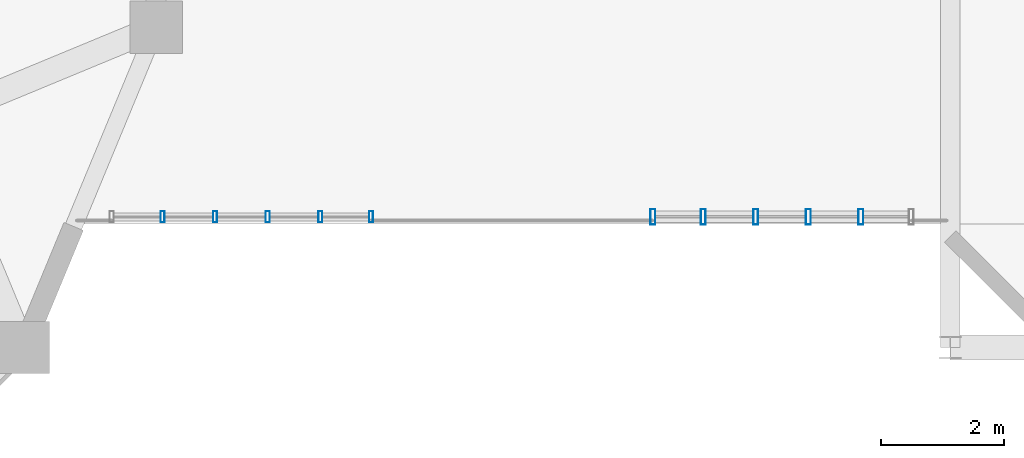
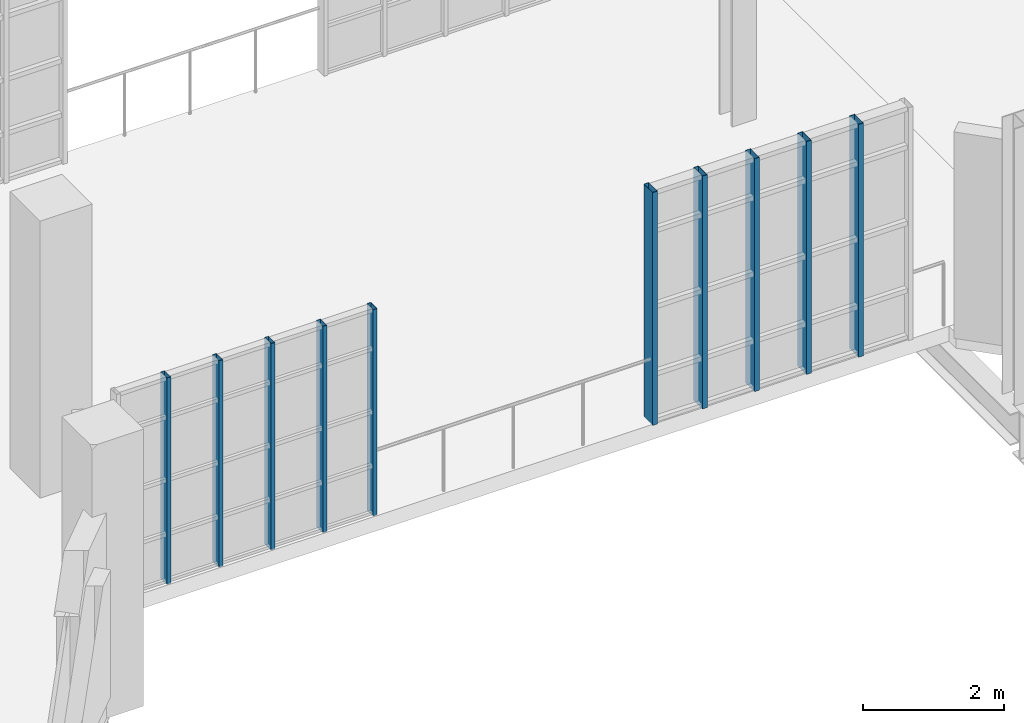
# One storey, part 17 of 122: 10 members, 2 elements without a shape of their own.
"""IFC4 building model written with IfcOpenShell, lengths in metres."""

from ifc_helpers import new_model, si_unit, direction, frame, origin, origin_2d, place, context, subcontext, project, spatial, hollow_rectangle, extrude, material, layer, layer_set, material_profile, profile_set, type_object, element, aggregate, save


model = new_model("IFC4")

# Units and contexts
model_context = context("Model", 3, precision=1e-05, world=origin(), true_north=direction((0.0, 1.0)))
body_context = subcontext(model_context, "Body", "Model", "MODEL_VIEW")
ifc_project = project(units=[si_unit("LENGTHUNIT", "METRE"), si_unit("AREAUNIT", "SQUARE_METRE"), si_unit("VOLUMEUNIT", "CUBIC_METRE"), si_unit("PLANEANGLEUNIT", "RADIAN"), si_unit("MASSUNIT", "GRAM", prefix="KILO"), si_unit("THERMODYNAMICTEMPERATUREUNIT", "KELVIN"), si_unit("POWERUNIT", "WATT")], contexts=[model_context])

# Site, building, storey
site_placement = place(None, origin())
site = spatial("IfcSite", under=ifc_project, at=site_placement, CompositionType="ELEMENT")
building_placement = place(site_placement, origin())
building = spatial("IfcBuilding", under=site, at=building_placement, Name="Zelmaris Science Centre", CompositionType="ELEMENT")
storey_placement = place(building_placement, frame((0.0, 0.0, 10.800048828125)))
storey = spatial("IfcBuildingStorey", under=building, at=storey_placement, Name="L02", CompositionType="ELEMENT", Elevation=10.800048828125)

# Curtain wall, members
ifc_material = material(Name="Anodised architectural aluminium 6063-T6", Category="aluminium")
ifc_layer_1 = layer(ifc_material, 0.2099609375, Name="Anodised architectural aluminium 6063-T6")
ifc_layer_set_1 = layer_set([ifc_layer_1], Name="Anodised architectural aluminium 6063-T6")
curtain_wall_type_1 = type_object("IfcCurtainWallType", Name="Curtain Wall CW-03", PredefinedType="USERDEFINED", material=ifc_layer_set_1)
curtain_wall_1_placement = place(storey_placement, origin())
curtain_wall_1 = element("IfcCurtainWall", 1, at=curtain_wall_1_placement, inside=storey, type_object=curtain_wall_type_1, Name="L02 Unitised curtain wall 259", ObjectType="GLAZED CURTAIN WALL", PredefinedType="USERDEFINED")
ifc_material_profile_1 = material_profile(ifc_material, hollow_rectangle(XDim=0.06494140625, YDim=0.179931640625, WallThickness=0.00390625, at=origin_2d()), Name="ALU-MUL-65X180")
ifc_profile_set_1 = profile_set([ifc_material_profile_1], Name="Anodised architectural aluminium 6063-T6")
member_type_1 = type_object("IfcMemberType", Name="ALU-MUL-65X180", PredefinedType="MULLION", material=ifc_profile_set_1)
member_1_placement = place(storey_placement, frame((44.610595703125, 66.11962890625, -0.01513671875), z_axis=(0.0, 0.0, 1.0), x_axis=(-1.0, 0.0, 0.0)))
member_1 = element("IfcMember", 2, at=member_1_placement, type_object=member_type_1, Name="CW-03 mullion 1", PredefinedType="MULLION", context=body_context, shape_type="SweptSolid", body=[
    extrude(hollow_rectangle(XDim=0.06494140625, YDim=0.179931640625, WallThickness=0.00390625, at=origin_2d()), origin(), (0.0, 0.0, 1.0), 3.580078125),
])
member_2_placement = place(storey_placement, frame((43.78662109375, 66.11962890625, -0.01513671875), z_axis=(0.0, 0.0, 1.0), x_axis=(-1.0, 0.0, 0.0)))
member_2 = element("IfcMember", 3, at=member_2_placement, type_object=member_type_1, Name="CW-03 mullion 2", PredefinedType="MULLION", context=body_context, shape_type="SweptSolid", body=[
    extrude(hollow_rectangle(XDim=0.06494140625, YDim=0.179931640625, WallThickness=0.00390625, at=origin_2d()), origin(), (0.0, 0.0, 1.0), 3.580078125),
])
member_3_placement = place(storey_placement, frame((42.933837890625, 66.11962890625, -0.01513671875), z_axis=(0.0, 0.0, 1.0), x_axis=(-1.0, 0.0, 0.0)))
member_3 = element("IfcMember", 4, at=member_3_placement, type_object=member_type_1, Name="CW-03 mullion 3", PredefinedType="MULLION", context=body_context, shape_type="SweptSolid", body=[
    extrude(hollow_rectangle(XDim=0.06494140625, YDim=0.179931640625, WallThickness=0.00390625, at=origin_2d()), origin(), (0.0, 0.0, 1.0), 3.580078125),
])
member_4_placement = place(storey_placement, frame((42.081298828125, 66.11962890625, -0.01513671875), z_axis=(0.0, 0.0, 1.0), x_axis=(-1.0, 0.0, 0.0)))
member_4 = element("IfcMember", 5, at=member_4_placement, type_object=member_type_1, Name="CW-03 mullion 4", PredefinedType="MULLION", context=body_context, shape_type="SweptSolid", body=[
    extrude(hollow_rectangle(XDim=0.06494140625, YDim=0.179931640625, WallThickness=0.00390625, at=origin_2d()), origin(), (0.0, 0.0, 1.0), 3.580078125),
])
member_5_placement = place(storey_placement, frame((41.228515625, 66.11962890625, -0.01513671875), z_axis=(0.0, 0.0, 1.0), x_axis=(-1.0, 0.0, 0.0)))
member_5 = element("IfcMember", 6, at=member_5_placement, type_object=member_type_1, Name="CW-03 mullion 5", PredefinedType="MULLION", context=body_context, shape_type="SweptSolid", body=[
    extrude(hollow_rectangle(XDim=0.06494140625, YDim=0.179931640625, WallThickness=0.00390625, at=origin_2d()), origin(), (0.0, 0.0, 1.0), 3.580078125),
])
aggregate(curtain_wall_1, [member_1, member_2, member_3, member_4, member_5])

ifc_layer_2 = layer(ifc_material, 0.18994140625, Name="Anodised architectural aluminium 6063-T6")
ifc_layer_set_2 = layer_set([ifc_layer_2], Name="Anodised architectural aluminium 6063-T6")
curtain_wall_type_2 = type_object("IfcCurtainWallType", Name="Curtain Wall CW-01", PredefinedType="USERDEFINED", material=ifc_layer_set_2)
curtain_wall_2_placement = place(storey_placement, origin())
curtain_wall_2 = element("IfcCurtainWall", 7, at=curtain_wall_2_placement, inside=storey, type_object=curtain_wall_type_2, Name="L02 Unitised curtain wall 257", ObjectType="GLAZED CURTAIN WALL", PredefinedType="USERDEFINED")
ifc_material_profile_2 = material_profile(ifc_material, hollow_rectangle(XDim=0.080078125, YDim=0.25, WallThickness=0.0048828125, at=origin_2d()), Name="ALU-MUL-80X250")
ifc_profile_set_2 = profile_set([ifc_material_profile_2], Name="Anodised architectural aluminium 6063-T6")
member_type_2 = type_object("IfcMemberType", Name="ALU-MUL-80X250", PredefinedType="MULLION", material=ifc_profile_set_2)
member_6_placement = place(storey_placement, frame((52.55322265625, 66.11962890625, -0.01513671875), z_axis=(0.0, 0.0, 1.0), x_axis=(-1.0, 0.0, 0.0)))
member_6 = element("IfcMember", 8, at=member_6_placement, type_object=member_type_2, Name="CW-01 mullion 2", PredefinedType="MULLION", context=body_context, shape_type="SweptSolid", body=[
    extrude(hollow_rectangle(XDim=0.080078125, YDim=0.25, WallThickness=0.0048828125, at=origin_2d()), origin(), (0.0, 0.0, 1.0), 4.03515625),
])
member_7_placement = place(storey_placement, frame((51.70068359375, 66.11962890625, -0.01513671875), z_axis=(0.0, 0.0, 1.0), x_axis=(-1.0, 0.0, 0.0)))
member_7 = element("IfcMember", 9, at=member_7_placement, type_object=member_type_2, Name="CW-01 mullion 3", PredefinedType="MULLION", context=body_context, shape_type="SweptSolid", body=[
    extrude(hollow_rectangle(XDim=0.080078125, YDim=0.25, WallThickness=0.0048828125, at=origin_2d()), origin(), (0.0, 0.0, 1.0), 4.03515625),
])
member_8_placement = place(storey_placement, frame((50.847900390625, 66.11962890625, -0.01513671875), z_axis=(0.0, 0.0, 1.0), x_axis=(-1.0, 0.0, 0.0)))
member_8 = element("IfcMember", 10, at=member_8_placement, type_object=member_type_2, Name="CW-01 mullion 4", PredefinedType="MULLION", context=body_context, shape_type="SweptSolid", body=[
    extrude(hollow_rectangle(XDim=0.080078125, YDim=0.25, WallThickness=0.0048828125, at=origin_2d()), origin(), (0.0, 0.0, 1.0), 4.03515625),
])
member_9_placement = place(storey_placement, frame((49.995361328125, 66.11962890625, -0.01513671875), z_axis=(0.0, 0.0, 1.0), x_axis=(-1.0, 0.0, 0.0)))
member_9 = element("IfcMember", 11, at=member_9_placement, type_object=member_type_2, Name="CW-01 mullion 5", PredefinedType="MULLION", context=body_context, shape_type="SweptSolid", body=[
    extrude(hollow_rectangle(XDim=0.080078125, YDim=0.25, WallThickness=0.0048828125, at=origin_2d()), origin(), (0.0, 0.0, 1.0), 4.03515625),
])
member_10_placement = place(storey_placement, frame((49.1787109375, 66.11962890625, -0.01513671875), z_axis=(0.0, 0.0, 1.0), x_axis=(-1.0, 0.0, 0.0)))
member_10 = element("IfcMember", 12, at=member_10_placement, type_object=member_type_2, Name="CW-01 mullion 6", PredefinedType="MULLION", context=body_context, shape_type="SweptSolid", body=[
    extrude(hollow_rectangle(XDim=0.080078125, YDim=0.25, WallThickness=0.0048828125, at=origin_2d()), origin(), (0.0, 0.0, 1.0), 4.03515625),
])
aggregate(curtain_wall_2, [member_6, member_7, member_8, member_9, member_10])

save(model, "model.ifc")
